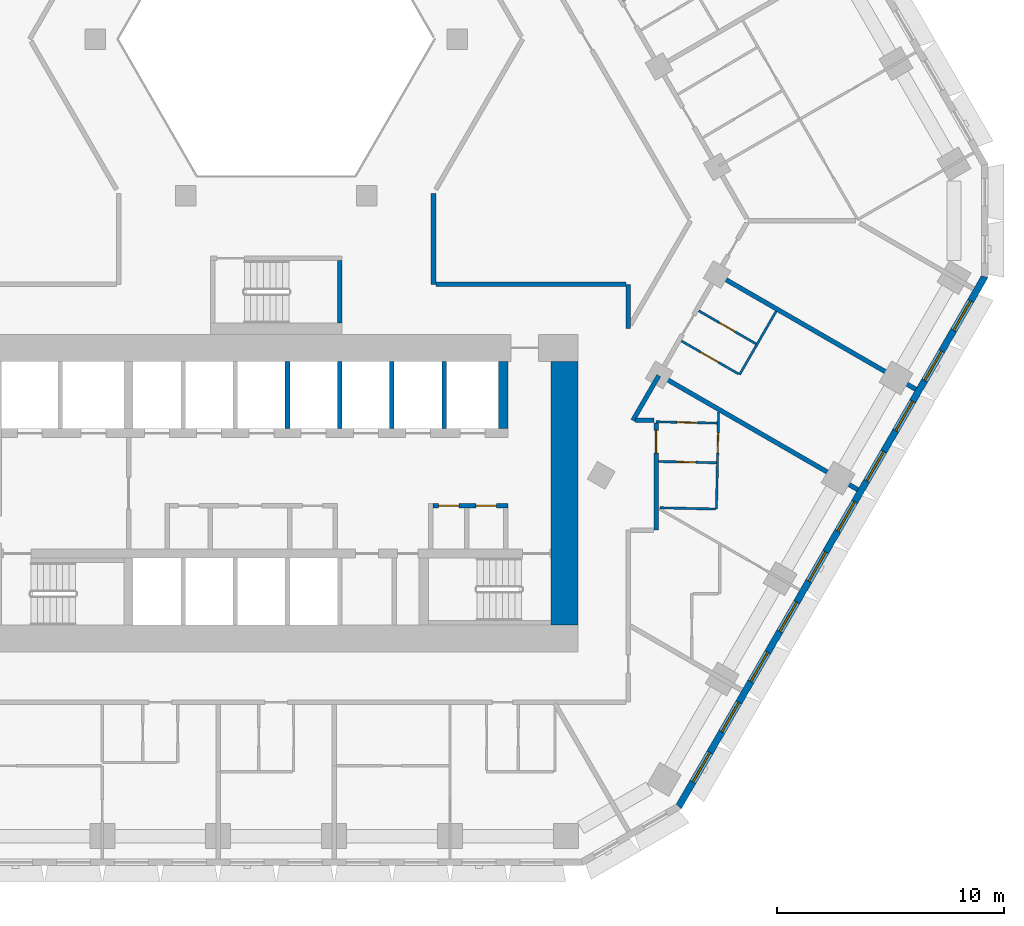
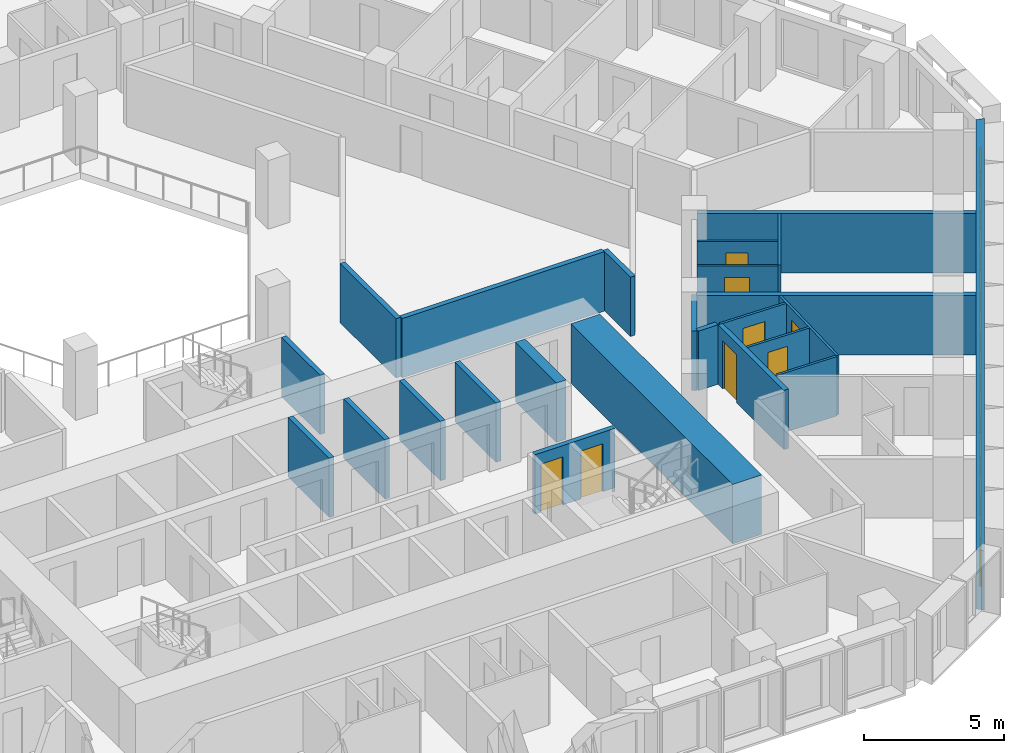
# One storey, part 7 of 21: 24 walls, 10 windows, 8 doors, 18 openings.
"""IFC4 building model written with IfcOpenShell, lengths in metres."""

from ifc_helpers import new_model, si_unit, direction, frame, frame_2d, origin, place, context, subcontext, project, spatial, polyline, rectangle, outline, extrude, material, layer, layer_set, type_object, element, fill, save


model = new_model("IFC4")

# Units and contexts
model_context = context("Model", 3, precision=1e-05, world=origin(), true_north=direction((0.0, 1.0)))
body_context = subcontext(model_context, "Body", "Model", "MODEL_VIEW")
ifc_project = project(units=[si_unit("LENGTHUNIT", "METRE"), si_unit("AREAUNIT", "SQUARE_METRE"), si_unit("VOLUMEUNIT", "CUBIC_METRE"), si_unit("PLANEANGLEUNIT", "RADIAN"), si_unit("MASSUNIT", "GRAM", prefix="KILO")], contexts=[model_context])

# Site, building, storey
site_placement = place(None, origin())
site = spatial("IfcSite", under=ifc_project, at=site_placement, CompositionType="ELEMENT")
building_placement = place(site_placement, origin())
building = spatial("IfcBuilding", under=site, at=building_placement, Name="Beryl Residences", CompositionType="ELEMENT")
storey_placement = place(building_placement, frame((0.0, 0.0, 59.39990234375)))
storey = spatial("IfcBuildingStorey", under=building, at=storey_placement, Name="L18", CompositionType="ELEMENT", Elevation=59.39990234375)

# Wall, openings, windows
ifc_material_1 = material(Name="Composite metal panel with mineral wool insulation")
ifc_layer_1 = layer(ifc_material_1, 0.300048828125)
ifc_layer_set_1 = layer_set([ifc_layer_1], Name="ES1 pale metal composite panel wall 300 mm")
wall_type_1 = type_object("IfcWallType", Name="ES1 pale metal composite panel wall 300 mm", PredefinedType="SOLIDWALL", material=ifc_layer_set_1)
wall_1_placement = place(storey_placement, frame((17.7099609375, -25.824951171875, 0.0), z_axis=(0.0, 0.0, 1.0), x_axis=(0.500001938803, 0.866024284413, 0.0)))
wall_1 = element("IfcWall", 1, at=wall_1_placement, inside=storey, type_object=wall_type_1, Name="ES1 external wall L18 SE", PredefinedType="SOLIDWALL", context=body_context, shape_type="SweptSolid", body=[
    extrude(outline(polyline([(0.0, -0.14990234375), (27.02001953125, -0.14990234375), (26.939697265625, 0.14990234375), (0.080322265625, 0.14990234375), (0.0, -0.14990234375)])), origin(), (0.0, 0.0, 1.0), 2.60009765625),
])
opening_1_placement = place(wall_1_placement, frame((1.277099609375, 0.0, 0.14990234375)))
opening_1 = element("IfcOpeningElement", 2, at=opening_1_placement, cuts=wall_1, Name="Opening W1", PredefinedType="OPENING", context=body_context, shape_type="SweptSolid", body=[
    extrude(rectangle(XDim=1.5, YDim=2.10009765625, at=frame_2d((0.75, 1.050048828125))), frame((0.0, 0.159912109375, 0.0), z_axis=(0.0, -1.0, 0.0), x_axis=(1.0, 0.0, 0.0)), (0.0, 0.0, 1.0), 0.320068359375),
])
opening_2_placement = place(wall_1_placement, frame((3.8291015625, 0.0, 0.14990234375)))
opening_2 = element("IfcOpeningElement", 3, at=opening_2_placement, cuts=wall_1, Name="Opening W1", PredefinedType="OPENING", context=body_context, shape_type="SweptSolid", body=[
    extrude(rectangle(XDim=1.5, YDim=2.10009765625, at=frame_2d((0.75, 1.050048828125))), frame((0.0, 0.159912109375, 0.0), z_axis=(0.0, -1.0, 0.0), x_axis=(1.0, 0.0, 0.0)), (0.0, 0.0, 1.0), 0.320068359375),
])
opening_3_placement = place(wall_1_placement, frame((6.382080078125, 0.0, 0.14990234375)))
opening_3 = element("IfcOpeningElement", 4, at=opening_3_placement, cuts=wall_1, Name="Opening W1", PredefinedType="OPENING", context=body_context, shape_type="SweptSolid", body=[
    extrude(rectangle(XDim=1.5, YDim=2.10009765625, at=frame_2d((0.75, 1.050048828125))), frame((0.0, 0.159912109375, 0.0), z_axis=(0.0, -1.0, 0.0), x_axis=(1.0, 0.0, 0.0)), (0.0, 0.0, 1.0), 0.320068359375),
])
opening_4_placement = place(wall_1_placement, frame((8.93310546875, 0.0, 0.14990234375)))
opening_4 = element("IfcOpeningElement", 5, at=opening_4_placement, cuts=wall_1, Name="Opening W1", PredefinedType="OPENING", context=body_context, shape_type="SweptSolid", body=[
    extrude(rectangle(XDim=1.5, YDim=2.10009765625, at=frame_2d((0.75, 1.050048828125))), frame((0.0, 0.159912109375, 0.0), z_axis=(0.0, -1.0, 0.0), x_axis=(1.0, 0.0, 0.0)), (0.0, 0.0, 1.0), 0.320068359375),
])
opening_5_placement = place(wall_1_placement, frame((11.485107421875, 0.0, 0.14990234375)))
opening_5 = element("IfcOpeningElement", 6, at=opening_5_placement, cuts=wall_1, Name="Opening W1", PredefinedType="OPENING", context=body_context, shape_type="SweptSolid", body=[
    extrude(rectangle(XDim=1.5, YDim=2.10009765625, at=frame_2d((0.75, 1.050048828125))), frame((0.0, 0.159912109375, 0.0), z_axis=(0.0, -1.0, 0.0), x_axis=(1.0, 0.0, 0.0)), (0.0, 0.0, 1.0), 0.320068359375),
])
opening_6_placement = place(wall_1_placement, frame((14.037109375, 0.0, 0.14990234375)))
opening_6 = element("IfcOpeningElement", 7, at=opening_6_placement, cuts=wall_1, Name="Opening W1", PredefinedType="OPENING", context=body_context, shape_type="SweptSolid", body=[
    extrude(rectangle(XDim=1.5, YDim=2.10009765625, at=frame_2d((0.75, 1.050048828125))), frame((0.0, 0.159912109375, 0.0), z_axis=(0.0, -1.0, 0.0), x_axis=(1.0, 0.0, 0.0)), (0.0, 0.0, 1.0), 0.320068359375),
])
opening_7_placement = place(wall_1_placement, frame((16.589111328125, 0.0, 0.14990234375)))
opening_7 = element("IfcOpeningElement", 8, at=opening_7_placement, cuts=wall_1, Name="Opening W1", PredefinedType="OPENING", context=body_context, shape_type="SweptSolid", body=[
    extrude(rectangle(XDim=1.5, YDim=2.10009765625, at=frame_2d((0.75, 1.050048828125))), frame((0.0, 0.159912109375, 0.0), z_axis=(0.0, -1.0, 0.0), x_axis=(1.0, 0.0, 0.0)), (0.0, 0.0, 1.0), 0.320068359375),
])
opening_8_placement = place(wall_1_placement, frame((19.14111328125, 0.0, 0.14990234375)))
opening_8 = element("IfcOpeningElement", 9, at=opening_8_placement, cuts=wall_1, Name="Opening W1", PredefinedType="OPENING", context=body_context, shape_type="SweptSolid", body=[
    extrude(rectangle(XDim=1.5, YDim=2.10009765625, at=frame_2d((0.75, 1.050048828125))), frame((0.0, 0.159912109375, 0.0), z_axis=(0.0, -1.0, 0.0), x_axis=(1.0, 0.0, 0.0)), (0.0, 0.0, 1.0), 0.320068359375),
])
opening_9_placement = place(wall_1_placement, frame((21.693115234375, 0.0, 0.14990234375)))
opening_9 = element("IfcOpeningElement", 10, at=opening_9_placement, cuts=wall_1, Name="Opening W1", PredefinedType="OPENING", context=body_context, shape_type="SweptSolid", body=[
    extrude(rectangle(XDim=1.5, YDim=2.10009765625, at=frame_2d((0.75, 1.050048828125))), frame((0.0, 0.159912109375, 0.0), z_axis=(0.0, -1.0, 0.0), x_axis=(1.0, 0.0, 0.0)), (0.0, 0.0, 1.0), 0.320068359375),
])
opening_10_placement = place(wall_1_placement, frame((24.243896484375, 0.0, 0.14990234375)))
opening_10 = element("IfcOpeningElement", 11, at=opening_10_placement, cuts=wall_1, Name="Opening W1", PredefinedType="OPENING", context=body_context, shape_type="SweptSolid", body=[
    extrude(rectangle(XDim=1.5, YDim=2.10009765625, at=frame_2d((0.75, 1.050048828125))), frame((0.0, 0.159912109375, 0.0), z_axis=(0.0, -1.0, 0.0), x_axis=(1.0, 0.0, 0.0)), (0.0, 0.0, 1.0), 0.320068359375),
])
ifc_material_2 = material(Name="Aluminium and clear glass", Category="aluminium")
window_type = type_object("IfcWindowType", Name="W1 cell window 1500 x 2100 mm", PartitioningType="SINGLE_PANEL", PredefinedType="WINDOW", material=ifc_material_2)
window_1_placement = place(opening_1_placement, origin())
window_1 = element("IfcWindow", 12, at=window_1_placement, inside=storey, type_object=window_type, Name="W1 window L18 SE 1", OverallHeight=2.10009765625, OverallWidth=1.5, PartitioningType="SINGLE_PANEL", PredefinedType="WINDOW", context=body_context, shape_type="SweptSolid", body=[
    extrude(rectangle(XDim=1.5, YDim=2.10009765625, at=frame_2d((0.75, 1.050048828125))), frame((0.0, 0.030029296875, 0.0), z_axis=(0.0, -1.0, 0.0), x_axis=(1.0, 0.0, 0.0)), (0.0, 0.0, 1.0), 0.06005859375),
])
fill(opening_1, window_1)
window_2_placement = place(opening_2_placement, origin())
window_2 = element("IfcWindow", 13, at=window_2_placement, inside=storey, type_object=window_type, Name="W1 window L18 SE 2", OverallHeight=2.10009765625, OverallWidth=1.5, PartitioningType="SINGLE_PANEL", PredefinedType="WINDOW", context=body_context, shape_type="SweptSolid", body=[
    extrude(rectangle(XDim=1.5, YDim=2.10009765625, at=frame_2d((0.75, 1.050048828125))), frame((0.0, 0.030029296875, 0.0), z_axis=(0.0, -1.0, 0.0), x_axis=(1.0, 0.0, 0.0)), (0.0, 0.0, 1.0), 0.06005859375),
])
fill(opening_2, window_2)
window_3_placement = place(opening_3_placement, origin())
window_3 = element("IfcWindow", 14, at=window_3_placement, inside=storey, type_object=window_type, Name="W1 window L18 SE 3", OverallHeight=2.10009765625, OverallWidth=1.5, PartitioningType="SINGLE_PANEL", PredefinedType="WINDOW", context=body_context, shape_type="SweptSolid", body=[
    extrude(rectangle(XDim=1.5, YDim=2.10009765625, at=frame_2d((0.75, 1.050048828125))), frame((0.0, 0.030029296875, 0.0), z_axis=(0.0, -1.0, 0.0), x_axis=(1.0, 0.0, 0.0)), (0.0, 0.0, 1.0), 0.06005859375),
])
fill(opening_3, window_3)
window_4_placement = place(opening_4_placement, origin())
window_4 = element("IfcWindow", 15, at=window_4_placement, inside=storey, type_object=window_type, Name="W1 window L18 SE 4", OverallHeight=2.10009765625, OverallWidth=1.5, PartitioningType="SINGLE_PANEL", PredefinedType="WINDOW", context=body_context, shape_type="SweptSolid", body=[
    extrude(rectangle(XDim=1.5, YDim=2.10009765625, at=frame_2d((0.75, 1.050048828125))), frame((0.0, 0.030029296875, 0.0), z_axis=(0.0, -1.0, 0.0), x_axis=(1.0, 0.0, 0.0)), (0.0, 0.0, 1.0), 0.06005859375),
])
fill(opening_4, window_4)
window_5_placement = place(opening_5_placement, origin())
window_5 = element("IfcWindow", 16, at=window_5_placement, inside=storey, type_object=window_type, Name="W1 window L18 SE 5", OverallHeight=2.10009765625, OverallWidth=1.5, PartitioningType="SINGLE_PANEL", PredefinedType="WINDOW", context=body_context, shape_type="SweptSolid", body=[
    extrude(rectangle(XDim=1.5, YDim=2.10009765625, at=frame_2d((0.75, 1.050048828125))), frame((0.0, 0.030029296875, 0.0), z_axis=(0.0, -1.0, 0.0), x_axis=(1.0, 0.0, 0.0)), (0.0, 0.0, 1.0), 0.06005859375),
])
fill(opening_5, window_5)
window_6_placement = place(opening_6_placement, origin())
window_6 = element("IfcWindow", 17, at=window_6_placement, inside=storey, type_object=window_type, Name="W1 window L18 SE 6", OverallHeight=2.10009765625, OverallWidth=1.5, PartitioningType="SINGLE_PANEL", PredefinedType="WINDOW", context=body_context, shape_type="SweptSolid", body=[
    extrude(rectangle(XDim=1.5, YDim=2.10009765625, at=frame_2d((0.75, 1.050048828125))), frame((0.0, 0.030029296875, 0.0), z_axis=(0.0, -1.0, 0.0), x_axis=(1.0, 0.0, 0.0)), (0.0, 0.0, 1.0), 0.06005859375),
])
fill(opening_6, window_6)
window_7_placement = place(opening_7_placement, origin())
window_7 = element("IfcWindow", 18, at=window_7_placement, inside=storey, type_object=window_type, Name="W1 window L18 SE 7", OverallHeight=2.10009765625, OverallWidth=1.5, PartitioningType="SINGLE_PANEL", PredefinedType="WINDOW", context=body_context, shape_type="SweptSolid", body=[
    extrude(rectangle(XDim=1.5, YDim=2.10009765625, at=frame_2d((0.75, 1.050048828125))), frame((0.0, 0.030029296875, 0.0), z_axis=(0.0, -1.0, 0.0), x_axis=(1.0, 0.0, 0.0)), (0.0, 0.0, 1.0), 0.06005859375),
])
fill(opening_7, window_7)
window_8_placement = place(opening_8_placement, origin())
window_8 = element("IfcWindow", 19, at=window_8_placement, inside=storey, type_object=window_type, Name="W1 window L18 SE 8", OverallHeight=2.10009765625, OverallWidth=1.5, PartitioningType="SINGLE_PANEL", PredefinedType="WINDOW", context=body_context, shape_type="SweptSolid", body=[
    extrude(rectangle(XDim=1.5, YDim=2.10009765625, at=frame_2d((0.75, 1.050048828125))), frame((0.0, 0.030029296875, 0.0), z_axis=(0.0, -1.0, 0.0), x_axis=(1.0, 0.0, 0.0)), (0.0, 0.0, 1.0), 0.06005859375),
])
fill(opening_8, window_8)
window_9_placement = place(opening_9_placement, origin())
window_9 = element("IfcWindow", 20, at=window_9_placement, inside=storey, type_object=window_type, Name="W1 window L18 SE 9", OverallHeight=2.10009765625, OverallWidth=1.5, PartitioningType="SINGLE_PANEL", PredefinedType="WINDOW", context=body_context, shape_type="SweptSolid", body=[
    extrude(rectangle(XDim=1.5, YDim=2.10009765625, at=frame_2d((0.75, 1.050048828125))), frame((0.0, 0.030029296875, 0.0), z_axis=(0.0, -1.0, 0.0), x_axis=(1.0, 0.0, 0.0)), (0.0, 0.0, 1.0), 0.06005859375),
])
fill(opening_9, window_9)
window_10_placement = place(opening_10_placement, origin())
window_10 = element("IfcWindow", 21, at=window_10_placement, inside=storey, type_object=window_type, Name="W1 window L18 SE 10", OverallHeight=2.10009765625, OverallWidth=1.5, PartitioningType="SINGLE_PANEL", PredefinedType="WINDOW", context=body_context, shape_type="SweptSolid", body=[
    extrude(rectangle(XDim=1.5, YDim=2.10009765625, at=frame_2d((0.75, 1.050048828125))), frame((0.0, 0.030029296875, 0.0), z_axis=(0.0, -1.0, 0.0), x_axis=(1.0, 0.0, 0.0)), (0.0, 0.0, 1.0), 0.06005859375),
])
fill(opening_10, window_10)

# Wall, opening, door
ifc_material_3 = material(Name="Gypsum board partition on steel studs", Category="steel")
ifc_layer_2 = layer(ifc_material_3, 0.10009765625)
ifc_layer_set_2 = layer_set([ifc_layer_2], Name="PT1 partition 100 mm gypsum board on steel studs")
wall_type_2 = type_object("IfcWallType", Name="PT1 partition 100 mm gypsum board on steel studs", PredefinedType="PARTITIONING", material=ifc_layer_set_2)
wall_2_placement = place(storey_placement, frame((16.72802734375, -8.85302734375, 0.0), z_axis=(0.0, 0.0, 1.0), x_axis=(0.999759401479, -0.02193488442, 0.0)))
wall_2 = element("IfcWall", 22, at=wall_2_placement, inside=storey, type_object=wall_type_2, Name="Wall PT1 L18 016", PredefinedType="PARTITIONING", context=body_context, shape_type="SweptSolid", body=[
    extrude(rectangle(XDim=2.693603515625, YDim=0.10009765625, at=frame_2d((1.3466796875, 0.0))), origin(), (0.0, 0.0, 1.0), 2.60009765625),
])
opening_11_placement = place(wall_2_placement, frame((0.922119140625, 0.0, 0.0)))
opening_11 = element("IfcOpeningElement", 23, at=opening_11_placement, cuts=wall_2, Name="Opening D0372", PredefinedType="OPENING", context=body_context, shape_type="SweptSolid", body=[
    extrude(rectangle(XDim=0.89990234375, YDim=2.10009765625, at=frame_2d((0.449951171875, 1.050048828125))), frame((0.0, 0.06005859375, 0.0), z_axis=(0.0, -1.0, 0.0), x_axis=(1.0, 0.0, 0.0)), (0.0, 0.0, 1.0), 0.1201171875),
])
ifc_material_4 = material(Name="Timber door leaf", Category="wood")
door_type_1 = type_object("IfcDoorType", Name="D2 room door 900 x 2100 mm", OperationType="SINGLE_SWING_LEFT", PredefinedType="DOOR", material=ifc_material_4)
door_1_placement = place(opening_11_placement, origin())
door_1 = element("IfcDoor", 24, at=door_1_placement, inside=storey, type_object=door_type_1, Name="Door D0372 L18 001", OperationType="SINGLE_SWING_RIGHT", OverallHeight=2.10009765625, OverallWidth=0.89990234375, PredefinedType="DOOR", context=body_context, shape_type="SweptSolid", body=[
    extrude(rectangle(XDim=0.89990234375, YDim=2.10009765625, at=frame_2d((0.449951171875, 1.050048828125))), frame((0.0, 0.02490234375, 0.0), z_axis=(0.0, -1.0, 0.0), x_axis=(1.0, 0.0, 0.0)), (0.0, 0.0, 1.0), 0.050048828125),
])
fill(opening_11, door_1)

wall_3_placement = place(storey_placement, frame((16.827880859375, -10.60107421875, 0.0), z_axis=(0.0, 0.0, 1.0), x_axis=(0.999752091799, -0.022265555094, 0.0)))
wall_3 = element("IfcWall", 25, at=wall_3_placement, inside=storey, type_object=wall_type_2, Name="Wall PT1 L18 017", PredefinedType="PARTITIONING", context=body_context, shape_type="SweptSolid", body=[
    extrude(rectangle(XDim=2.554931640625, YDim=0.10009765625, at=frame_2d((1.27734375, 0.0))), origin(), (0.0, 0.0, 1.0), 2.60009765625),
])
opening_12_placement = place(wall_3_placement, frame((0.85302734375, 0.0, 0.0)))
opening_12 = element("IfcOpeningElement", 26, at=opening_12_placement, cuts=wall_3, Name="Opening D0373", PredefinedType="OPENING", context=body_context, shape_type="SweptSolid", body=[
    extrude(rectangle(XDim=0.800048828125, YDim=2.10009765625, at=frame_2d((0.39990234375, 1.050048828125))), frame((0.0, 0.06005859375, 0.0), z_axis=(0.0, -1.0, 0.0), x_axis=(1.0, 0.0, 0.0)), (0.0, 0.0, 1.0), 0.1201171875),
])
ifc_material_5 = material(Name="Timber door leaf", Category="wood")
door_type_2 = type_object("IfcDoorType", Name="D3 bathroom door 800 x 2100 mm", OperationType="SINGLE_SWING_LEFT", PredefinedType="DOOR", material=ifc_material_5)
door_2_placement = place(opening_12_placement, origin())
door_2 = element("IfcDoor", 27, at=door_2_placement, inside=storey, type_object=door_type_2, Name="Door D0373 L18 001", OperationType="SINGLE_SWING_LEFT", OverallHeight=2.10009765625, OverallWidth=0.800048828125, PredefinedType="DOOR", context=body_context, shape_type="SweptSolid", body=[
    extrude(rectangle(XDim=0.800048828125, YDim=2.10009765625, at=frame_2d((0.39990234375, 1.050048828125))), frame((0.0, 0.02490234375, 0.0), z_axis=(0.0, -1.0, 0.0), x_axis=(1.0, 0.0, 0.0)), (0.0, 0.0, 1.0), 0.050048828125),
])
fill(opening_12, door_2)

# Wall
wall_4_placement = place(storey_placement, frame((16.89208984375, -12.639892578125, 0.0), z_axis=(0.0, 0.0, 1.0), x_axis=(0.999754359069, -0.022163517846, 0.0)))
element("IfcWall", 28, at=wall_4_placement, inside=storey, type_object=wall_type_2, Name="Wall PT1 L18 018", PredefinedType="PARTITIONING", context=body_context, shape_type="SweptSolid", body=[
    extrude(rectangle(XDim=2.4453125, YDim=0.10009765625, at=frame_2d((1.22265625, 0.0))), origin(), (0.0, 0.0, 1.0), 2.60009765625),
])

# Wall, opening, door
wall_5_placement = place(storey_placement, frame((17.843994140625, -5.2919921875, 0.0), z_axis=(0.0, 0.0, 1.0), x_axis=(0.866003949776, -0.500037157592, 0.0)))
wall_5 = element("IfcWall", 29, at=wall_5_placement, inside=storey, type_object=wall_type_2, Name="Wall PT1 L18 024", PredefinedType="PARTITIONING", context=body_context, shape_type="SweptSolid", body=[
    extrude(rectangle(XDim=2.909912109375, YDim=0.10009765625, at=frame_2d((1.455078125, 0.0))), origin(), (0.0, 0.0, 1.0), 2.60009765625),
])
opening_13_placement = place(wall_5_placement, frame((0.97998046875, 0.0, 0.0)))
opening_13 = element("IfcOpeningElement", 30, at=opening_13_placement, cuts=wall_5, Name="Opening D0378", PredefinedType="OPENING", context=body_context, shape_type="SweptSolid", body=[
    extrude(rectangle(XDim=0.89990234375, YDim=2.10009765625, at=frame_2d((0.449951171875, 1.050048828125))), frame((0.0, 0.06005859375, 0.0), z_axis=(0.0, -1.0, 0.0), x_axis=(1.0, 0.0, 0.0)), (0.0, 0.0, 1.0), 0.1201171875),
])
door_3_placement = place(opening_13_placement, origin())
door_3 = element("IfcDoor", 31, at=door_3_placement, inside=storey, type_object=door_type_1, Name="Door D0378 L18 001", OperationType="SINGLE_SWING_RIGHT", OverallHeight=2.10009765625, OverallWidth=0.89990234375, PredefinedType="DOOR", context=body_context, shape_type="SweptSolid", body=[
    extrude(rectangle(XDim=0.89990234375, YDim=2.10009765625, at=frame_2d((0.449951171875, 1.050048828125))), frame((0.0, 0.02490234375, 0.0), z_axis=(0.0, -1.0, 0.0), x_axis=(1.0, 0.0, 0.0)), (0.0, 0.0, 1.0), 0.050048828125),
])
fill(opening_13, door_3)

wall_6_placement = place(storey_placement, frame((18.610107421875, -3.966064453125, 0.0), z_axis=(0.0, 0.0, 1.0), x_axis=(0.866019304365, -0.500010564355, 0.0)))
wall_6 = element("IfcWall", 32, at=wall_6_placement, inside=storey, type_object=wall_type_2, Name="Wall PT1 L18 025", PredefinedType="PARTITIONING", context=body_context, shape_type="SweptSolid", body=[
    extrude(rectangle(XDim=2.90966796875, YDim=0.10009765625, at=frame_2d((1.454833984375, 0.0))), origin(), (0.0, 0.0, 1.0), 2.60009765625),
])
opening_14_placement = place(wall_6_placement, frame((1.030029296875, 0.0, 0.0)))
opening_14 = element("IfcOpeningElement", 33, at=opening_14_placement, cuts=wall_6, Name="Opening D0379", PredefinedType="OPENING", context=body_context, shape_type="SweptSolid", body=[
    extrude(rectangle(XDim=0.800048828125, YDim=2.10009765625, at=frame_2d((0.39990234375, 1.050048828125))), frame((0.0, 0.06005859375, 0.0), z_axis=(0.0, -1.0, 0.0), x_axis=(1.0, 0.0, 0.0)), (0.0, 0.0, 1.0), 0.1201171875),
])
door_4_placement = place(opening_14_placement, origin())
door_4 = element("IfcDoor", 34, at=door_4_placement, inside=storey, type_object=door_type_2, Name="Door D0379 L18 001", OperationType="SINGLE_SWING_LEFT", OverallHeight=2.10009765625, OverallWidth=0.800048828125, PredefinedType="DOOR", context=body_context, shape_type="SweptSolid", body=[
    extrude(rectangle(XDim=0.800048828125, YDim=2.10009765625, at=frame_2d((0.39990234375, 1.050048828125))), frame((0.0, 0.02490234375, 0.0), z_axis=(0.0, -1.0, 0.0), x_axis=(1.0, 0.0, 0.0)), (0.0, 0.0, 1.0), 0.050048828125),
])
fill(opening_14, door_4)

# Wall
wall_7_placement = place(storey_placement, frame((20.407958984375, -6.77099609375, 0.0), z_axis=(0.0, 0.0, 1.0), x_axis=(0.500197891286, 0.865911121047, 0.0)))
element("IfcWall", 35, at=wall_7_placement, inside=storey, type_object=wall_type_2, Name="Wall PT1 L18 044", PredefinedType="PARTITIONING", context=body_context, shape_type="SweptSolid", body=[
    extrude(rectangle(XDim=3.215087890625, YDim=0.10009765625, at=frame_2d((1.607421875, 0.0))), origin(), (0.0, 0.0, 1.0), 2.60009765625),
])

# Wall, opening, door
wall_8_placement = place(storey_placement, frame((19.386962890625, -12.695068359375, 0.0), z_axis=(0.0, 0.0, 1.0), x_axis=(0.022188864436, 0.99975379684, 0.0)))
wall_8 = element("IfcWall", 36, at=wall_8_placement, inside=storey, type_object=wall_type_2, Name="Wall PT1 L18 049", PredefinedType="PARTITIONING", context=body_context, shape_type="SweptSolid", body=[
    extrude(rectangle(XDim=4.280029296875, YDim=0.10009765625, at=frame_2d((2.14013671875, 0.0))), origin(), (0.0, 0.0, 1.0), 2.60009765625),
])
opening_15_placement = place(wall_8_placement, frame((2.4599609375, 0.0, 0.0)))
opening_15 = element("IfcOpeningElement", 37, at=opening_15_placement, cuts=wall_8, Name="Opening D0374", PredefinedType="OPENING", context=body_context, shape_type="SweptSolid", body=[
    extrude(rectangle(XDim=0.89990234375, YDim=2.10009765625, at=frame_2d((0.449951171875, 1.050048828125))), frame((0.0, 0.06005859375, 0.0), z_axis=(0.0, -1.0, 0.0), x_axis=(1.0, 0.0, 0.0)), (0.0, 0.0, 1.0), 0.1201171875),
])
door_5_placement = place(opening_15_placement, origin())
door_5 = element("IfcDoor", 38, at=door_5_placement, inside=storey, type_object=door_type_1, Name="Door D0374 L18 001", OperationType="SINGLE_SWING_RIGHT", OverallHeight=2.10009765625, OverallWidth=0.89990234375, PredefinedType="DOOR", context=body_context, shape_type="SweptSolid", body=[
    extrude(rectangle(XDim=0.89990234375, YDim=2.10009765625, at=frame_2d((0.449951171875, 1.050048828125))), frame((0.0, 0.02490234375, 0.0), z_axis=(0.0, -1.0, 0.0), x_axis=(1.0, 0.0, 0.0)), (0.0, 0.0, 1.0), 0.050048828125),
])
fill(opening_15, door_5)

# Wall, openings, doors
ifc_material_6 = material(Name="Concrete masonry", Category="masonry")
ifc_layer_3 = layer(ifc_material_6, 0.199951171875)
ifc_layer_set_3 = layer_set([ifc_layer_3], Name="PT13 lobby wall 200 mm")
wall_type_3 = type_object("IfcWallType", Name="PT13 lobby wall 200 mm", PredefinedType="PARTITIONING", material=ifc_layer_set_3)
wall_9_placement = place(storey_placement, frame((6.89990234375, -12.550048828125, 0.0), z_axis=(0.0, 0.0, 1.0), x_axis=(1.0, 0.0, 0.0)))
wall_9 = element("IfcWall", 39, at=wall_9_placement, inside=storey, type_object=wall_type_3, Name="Lobby wall 24", PredefinedType="PARTITIONING", context=body_context, shape_type="SweptSolid", body=[
    extrude(rectangle(XDim=3.300048828125, YDim=0.199951171875, at=frame_2d((1.64990234375, 0.0))), origin(), (0.0, 0.0, 1.0), 2.60009765625),
])
opening_16_placement = place(wall_9_placement, frame((1.14990234375, 0.0, 0.0), z_axis=(0.0, 0.0, 1.0), x_axis=(-1.0, 0.0, 0.0)))
opening_16 = element("IfcOpeningElement", 40, at=opening_16_placement, cuts=wall_9, Name="Opening CD-D-A4-900", PredefinedType="OPENING", context=body_context, shape_type="SweptSolid", body=[
    extrude(rectangle(XDim=0.89990234375, YDim=2.10009765625, at=frame_2d((0.449951171875, 1.050048828125))), frame((0.0, 0.10986328125, 0.0), z_axis=(0.0, -1.0, 0.0), x_axis=(1.0, 0.0, 0.0)), (0.0, 0.0, 1.0), 0.219970703125),
])
opening_17_placement = place(wall_9_placement, frame((2.7998046875, 0.0, 0.0), z_axis=(0.0, 0.0, 1.0), x_axis=(-1.0, 0.0, 0.0)))
opening_17 = element("IfcOpeningElement", 41, at=opening_17_placement, cuts=wall_9, Name="Opening CD-D-A5-900", PredefinedType="OPENING", context=body_context, shape_type="SweptSolid", body=[
    extrude(rectangle(XDim=0.89990234375, YDim=2.10009765625, at=frame_2d((0.449951171875, 1.050048828125))), frame((0.0, 0.10986328125, 0.0), z_axis=(0.0, -1.0, 0.0), x_axis=(1.0, 0.0, 0.0)), (0.0, 0.0, 1.0), 0.219970703125),
])
ifc_material_7 = material(Name="Steel door leaf in steel frame", Category="steel")
door_type_3 = type_object("IfcDoorType", Name="D6 service room door 900 x 2100 mm", OperationType="SINGLE_SWING_LEFT", PredefinedType="DOOR", material=ifc_material_7)
door_6_placement = place(opening_16_placement, origin())
door_6 = element("IfcDoor", 42, at=door_6_placement, inside=storey, type_object=door_type_3, Name="Door CD-D-A4-900 L18 001", OperationType="SINGLE_SWING_LEFT", OverallHeight=2.10009765625, OverallWidth=0.89990234375, PredefinedType="DOOR", context=body_context, shape_type="SweptSolid", body=[
    extrude(rectangle(XDim=0.89990234375, YDim=2.10009765625, at=frame_2d((0.449951171875, 1.050048828125))), frame((0.0, 0.02490234375, 0.0), z_axis=(0.0, -1.0, 0.0), x_axis=(1.0, 0.0, 0.0)), (0.0, 0.0, 1.0), 0.050048828125),
])
fill(opening_16, door_6)
door_7_placement = place(opening_17_placement, origin())
door_7 = element("IfcDoor", 43, at=door_7_placement, inside=storey, type_object=door_type_3, Name="Door CD-D-A5-900 L18 001", OperationType="SINGLE_SWING_RIGHT", OverallHeight=2.10009765625, OverallWidth=0.89990234375, PredefinedType="DOOR", context=body_context, shape_type="SweptSolid", body=[
    extrude(rectangle(XDim=0.89990234375, YDim=2.10009765625, at=frame_2d((0.449951171875, 1.050048828125))), frame((0.0, 0.02490234375, 0.0), z_axis=(0.0, -1.0, 0.0), x_axis=(1.0, 0.0, 0.0)), (0.0, 0.0, 1.0), 0.050048828125),
])
fill(opening_17, door_7)

# Walls
ifc_material_8 = material(Name="Acoustic double stud gypsum board wall")
ifc_layer_4 = layer(ifc_material_8, 0.199951171875)
ifc_layer_set_4 = layer_set([ifc_layer_4], Name="PT3 party wall 200 mm acoustic double stud")
wall_type_4 = type_object("IfcWallType", Name="PT3 party wall 200 mm acoustic double stud", PredefinedType="PARTITIONING", material=ifc_layer_set_4)
wall_10_placement = place(storey_placement, frame((19.5029296875, -2.4189453125, 0.0), z_axis=(0.0, 0.0, 1.0), x_axis=(0.866047370643, -0.499961950354, 0.0)))
element("IfcWall", 44, at=wall_10_placement, inside=storey, type_object=wall_type_4, Name="Wall PT3 L18 010", PredefinedType="PARTITIONING", context=body_context, shape_type="SweptSolid", body=[
    extrude(rectangle(XDim=10.000732421875, YDim=0.199951171875, at=frame_2d((5.00048828125, 0.0))), origin(), (0.0, 0.0, 1.0), 2.60009765625),
])
wall_11_placement = place(storey_placement, frame((16.916015625, -6.819091796875, 0.0), z_axis=(0.0, 0.0, 1.0), x_axis=(0.866028876723, -0.499993984646, 0.0)))
element("IfcWall", 45, at=wall_11_placement, inside=storey, type_object=wall_type_4, Name="Wall PT3 L18 013", PredefinedType="PARTITIONING", context=body_context, shape_type="SweptSolid", body=[
    extrude(rectangle(XDim=10.0400390625, YDim=0.199951171875, at=frame_2d((5.02001953125, 0.0))), origin(), (0.0, 0.0, 1.0), 2.60009765625),
])
ifc_material_9 = material(Name="Double stud gypsum board wall")
ifc_layer_5 = layer(ifc_material_9, 0.199951171875)
ifc_layer_set_5 = layer_set([ifc_layer_5], Name="PT4 corridor wall 200 mm double stud")
wall_type_5 = type_object("IfcWallType", Name="PT4 corridor wall 200 mm double stud", PredefinedType="PARTITIONING", material=ifc_layer_set_5)
wall_12_placement = place(storey_placement, frame((15.822021484375, -8.7939453125, 0.0), z_axis=(0.0, 0.0, 1.0), x_axis=(1.0, 0.0, 0.0)))
element("IfcWall", 46, at=wall_12_placement, inside=storey, type_object=wall_type_5, Name="Wall PT4 L18 009", PredefinedType="PARTITIONING", context=body_context, shape_type="SweptSolid", body=[
    extrude(rectangle(XDim=0.805908203125, YDim=0.199951171875, at=frame_2d((0.40283203125, 0.0))), origin(), (0.0, 0.0, 1.0), 2.60009765625),
])
wall_13_placement = place(storey_placement, frame((7.028076171875, -2.800048828125, 0.0), z_axis=(0.0, 0.0, 1.0), x_axis=(1.0, 0.0, 0.0)))
element("IfcWall", 47, at=wall_13_placement, inside=storey, type_object=wall_type_5, Name="Wall PT4 L18 014", PredefinedType="PARTITIONING", context=body_context, shape_type="SweptSolid", body=[
    extrude(rectangle(XDim=8.371826171875, YDim=0.199951171875, at=frame_2d((4.18603515625, 0.0))), origin(), (0.0, 0.0, 1.0), 2.60009765625),
])
wall_14_placement = place(storey_placement, frame((15.70703125, -8.7939453125, 0.0), z_axis=(0.0, 0.0, 1.0), x_axis=(0.500040469623, 0.866002037376, 0.0)))
element("IfcWall", 48, at=wall_14_placement, inside=storey, type_object=wall_type_5, Name="Wall PT4 L18 020", PredefinedType="PARTITIONING", context=body_context, shape_type="SweptSolid", body=[
    extrude(rectangle(XDim=2.281494140625, YDim=0.199951171875, at=frame_2d((1.140625, 0.0))), origin(), (0.0, 0.0, 1.0), 2.60009765625),
])
wall_15_placement = place(storey_placement, frame((6.927978515625, -2.800048828125, 0.0), z_axis=(0.0, 0.0, 1.0), x_axis=(0.0, 1.0, 0.0)))
element("IfcWall", 49, at=wall_15_placement, inside=storey, type_object=wall_type_5, Name="Wall PT4 L18 025", PredefinedType="PARTITIONING", context=body_context, shape_type="SweptSolid", body=[
    extrude(rectangle(XDim=4.0, YDim=0.199951171875, at=frame_2d((2.0, 0.0))), origin(), (0.0, 0.0, 1.0), 2.60009765625),
])
wall_16_placement = place(storey_placement, frame((15.5, -4.751953125, 0.0), z_axis=(0.0, 0.0, 1.0), x_axis=(0.0, 1.0, 0.0)))
element("IfcWall", 50, at=wall_16_placement, inside=storey, type_object=wall_type_5, Name="Wall PT4 L18 027", PredefinedType="PARTITIONING", context=body_context, shape_type="SweptSolid", body=[
    extrude(rectangle(XDim=1.951904296875, YDim=0.199951171875, at=frame_2d((0.97607421875, 0.0))), origin(), (0.0, 0.0, 1.0), 2.60009765625),
])

# Wall, opening, door
wall_17_placement = place(storey_placement, frame((16.72802734375, -13.623046875, 0.0), z_axis=(0.0, 0.0, 1.0), x_axis=(0.0, 1.0, 0.0)))
wall_17 = element("IfcWall", 51, at=wall_17_placement, inside=storey, type_object=wall_type_5, Name="Wall PT4 L18 028", PredefinedType="PARTITIONING", context=body_context, shape_type="SweptSolid", body=[
    extrude(rectangle(XDim=4.719970703125, YDim=0.199951171875, at=frame_2d((2.35986328125, 0.0))), origin(), (0.0, 0.0, 1.0), 2.60009765625),
])
opening_18_placement = place(wall_17_placement, frame((3.39599609375, 0.0, 0.0)))
opening_18 = element("IfcOpeningElement", 52, at=opening_18_placement, cuts=wall_17, Name="Opening D0371", PredefinedType="OPENING", context=body_context, shape_type="SweptSolid", body=[
    extrude(rectangle(XDim=1.0, YDim=2.10009765625, at=frame_2d((0.5, 1.050048828125))), frame((0.0, 0.10986328125, 0.0), z_axis=(0.0, -1.0, 0.0), x_axis=(1.0, 0.0, 0.0)), (0.0, 0.0, 1.0), 0.219970703125),
])
ifc_material_10 = material(Name="Timber door leaf", Category="wood")
door_type_4 = type_object("IfcDoorType", Name="D1 flat entrance door 1000 x 2100 mm", OperationType="SINGLE_SWING_LEFT", PredefinedType="DOOR", material=ifc_material_10)
door_8_placement = place(opening_18_placement, origin())
door_8 = element("IfcDoor", 53, at=door_8_placement, inside=storey, type_object=door_type_4, Name="Door D0371 L18 001", OperationType="SINGLE_SWING_LEFT", OverallHeight=2.10009765625, OverallWidth=1.0, PredefinedType="DOOR", context=body_context, shape_type="SweptSolid", body=[
    extrude(rectangle(XDim=1.0, YDim=2.10009765625, at=frame_2d((0.5, 1.050048828125))), frame((0.0, 0.02490234375, 0.0), z_axis=(0.0, -1.0, 0.0), x_axis=(1.0, 0.0, 0.0)), (0.0, 0.0, 1.0), 0.050048828125),
])
fill(opening_18, door_8)

# Walls
ifc_material_11 = material(Name="Concrete C40/50", Category="concrete")
ifc_layer_6 = layer(ifc_material_11, 0.199951171875)
ifc_layer_set_6 = layer_set([ifc_layer_6], Name="PT5 stair enclosure wall 200 mm reinforced concrete C40/50")
wall_type_6 = type_object("IfcWallType", Name="PT5 stair enclosure wall 200 mm reinforced concrete C40/50", PredefinedType="SOLIDWALL", material=ifc_layer_set_6)
wall_18_placement = place(storey_placement, frame((2.800048828125, -4.5, 0.0), z_axis=(0.0, 0.0, 1.0), x_axis=(0.0, 1.0, 0.0)))
element("IfcWall", 54, at=wall_18_placement, inside=storey, type_object=wall_type_6, Name="Wall PT5 L18 003", PredefinedType="SOLIDWALL", context=body_context, shape_type="SweptSolid", body=[
    extrude(rectangle(XDim=2.75, YDim=0.199951171875, at=frame_2d((1.375, 0.0))), origin(), (0.0, 0.0, 1.0), 2.60009765625),
])
ifc_material_12 = material(Name="Concrete C40/50", Category="concrete")
ifc_layer_7 = layer(ifc_material_12, 0.199951171875)
ifc_layer_set_7 = layer_set([ifc_layer_7], Name="PT6 lift shaft wall 200 mm reinforced concrete C40/50")
wall_type_7 = type_object("IfcWallType", Name="PT6 lift shaft wall 200 mm reinforced concrete C40/50", PredefinedType="SOLIDWALL", material=ifc_layer_set_7)
for number, where, z_axis, x_axis, name in (
    (55, (0.5, -9.14990234375, 0.0), (0.0, 0.0, 1.0), (0.0, 1.0, 0.0), "Lift shaft wall 15"),
    (56, (2.800048828125, -9.14990234375, 0.0), (0.0, 0.0, 1.0), (0.0, 1.0, 0.0), "Lift shaft wall 19"),
    (57, (5.10009765625, -9.14990234375, 0.0), (0.0, 0.0, 1.0), (0.0, 1.0, 0.0), "Lift shaft wall 20"),
    (58, (7.39990234375, -9.14990234375, 0.0), (0.0, 0.0, 1.0), (0.0, 1.0, 0.0), "Lift shaft wall 25"),
):
    element("IfcWall", number, at=place(storey_placement, frame(where, z_axis=z_axis, x_axis=x_axis)), inside=storey, type_object=wall_type_7, Name=name, PredefinedType="SOLIDWALL", context=body_context, shape_type="SweptSolid", body=[
        extrude(rectangle(XDim=2.949951171875, YDim=0.199951171875, at=frame_2d((1.47509765625, 0.0))), origin(), (0.0, 0.0, 1.0), 2.60009765625),
    ])
ifc_material_13 = material(Name="Concrete C80/95", Category="concrete")
ifc_layer_8 = layer(ifc_material_13, 1.199951171875)
ifc_layer_set_8 = layer_set([ifc_layer_8], Name="SW1 core outer wall 1200 mm C80/95")
wall_type_8 = type_object("IfcWallType", Name="SW1 core outer wall 1200 mm C80/95", PredefinedType="SHEAR", material=ifc_layer_set_8)
wall_19_placement = place(storey_placement, frame((12.699951171875, -17.800048828125, 0.0), z_axis=(0.0, 0.0, 1.0), x_axis=(0.0, 1.0, 0.0)))
element("IfcWall", 59, at=wall_19_placement, inside=storey, type_object=wall_type_8, Name="Core wall E L18", PredefinedType="SHEAR", context=body_context, shape_type="SweptSolid", body=[
    extrude(rectangle(XDim=11.60009765625, YDim=1.199951171875, at=frame_2d((5.800048828125, 0.0))), origin(), (0.0, 0.0, 1.0), 2.60009765625),
])
ifc_material_14 = material(Name="Concrete C80/95", Category="concrete")
ifc_layer_9 = layer(ifc_material_14, 0.39990234375)
ifc_layer_set_9 = layer_set([ifc_layer_9], Name="SW6 core internal wall 400 mm C80/95")
wall_type_9 = type_object("IfcWallType", Name="SW6 core internal wall 400 mm C80/95", PredefinedType="SHEAR", material=ifc_layer_set_9)
wall_20_placement = place(storey_placement, frame((10.0, -9.14990234375, 0.0), z_axis=(0.0, 0.0, 1.0), x_axis=(0.0, 1.0, 0.0)))
element("IfcWall", 60, at=wall_20_placement, inside=storey, type_object=wall_type_9, Name="Core wall XN2 L18", PredefinedType="SHEAR", context=body_context, shape_type="SweptSolid", body=[
    extrude(rectangle(XDim=2.949951171875, YDim=0.39990234375, at=frame_2d((1.47509765625, 0.0))), origin(), (0.0, 0.0, 1.0), 2.60009765625),
])

save(model, "model.ifc")
